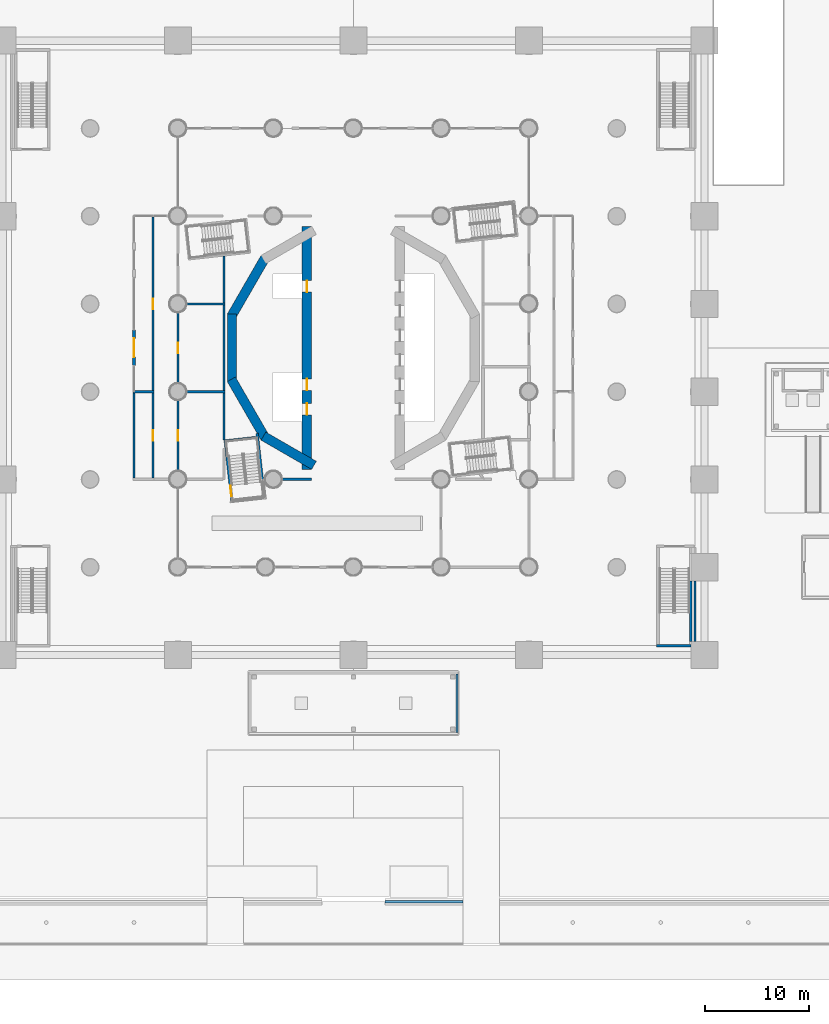
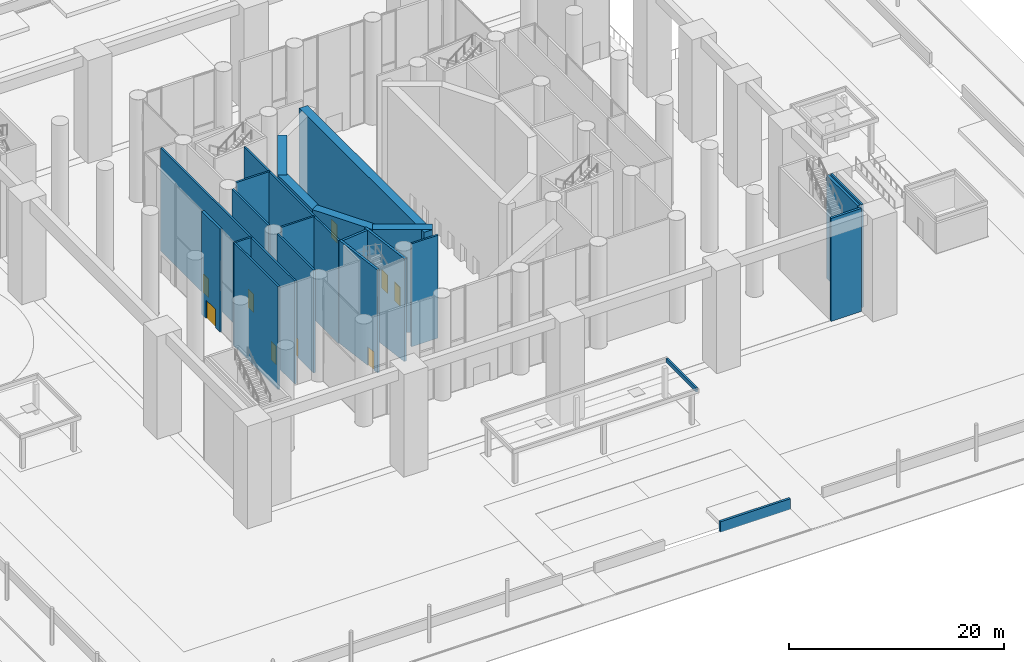
# One storey, part 13 of 52: 26 walls, 9 doors, 9 openings.
"""IFC4 building model written with IfcOpenShell, lengths in metres."""

from ifc_helpers import new_model, si_unit, direction, frame, frame_2d, origin, place, context, subcontext, project, spatial, rectangle, extrude, material, layer, layer_set, type_object, element, fill, save


model = new_model("IFC4")

# Units and contexts
model_context = context("Model", 3, precision=1e-05, world=origin(), true_north=direction((0.0, 1.0)))
body_context = subcontext(model_context, "Body", "Model", "MODEL_VIEW")
ifc_project = project(units=[si_unit("LENGTHUNIT", "METRE"), si_unit("AREAUNIT", "SQUARE_METRE"), si_unit("VOLUMEUNIT", "CUBIC_METRE"), si_unit("PLANEANGLEUNIT", "RADIAN"), si_unit("MASSUNIT", "GRAM", prefix="KILO")], contexts=[model_context])

# Site, building, storey
site_placement = place(None, origin())
site = spatial("IfcSite", under=ifc_project, at=site_placement, CompositionType="ELEMENT")
building_placement = place(site_placement, origin())
building = spatial("IfcBuilding", under=site, at=building_placement, Name="Cantera Rosa Tower", CompositionType="ELEMENT")
storey_placement = place(building_placement, origin())
storey = spatial("IfcBuildingStorey", under=building, at=storey_placement, Name="L00", CompositionType="ELEMENT", Elevation=0.0)

# Walls
ifc_material_1 = material(Name="Masonry blockwork", Category="masonry")
ifc_layer_1 = layer(ifc_material_1, 0.199951171875)
ifc_layer_set_1 = layer_set([ifc_layer_1], Name="Blockwork partition 200")
wall_type_1 = type_object("IfcWallType", Name="Blockwork partition 200", PredefinedType="PARTITIONING", material=ifc_layer_set_1)
wall_1_placement = place(storey_placement, frame((-6.85009765625, -12.57666015625, 0.0), z_axis=(0.0, 0.0, 1.0), x_axis=(1.0, 0.0, 0.0)))
element("IfcWall", 1, at=wall_1_placement, inside=storey, type_object=wall_type_1, Name="Partition L00-4", PredefinedType="PARTITIONING", context=body_context, shape_type="SweptSolid", body=[
    extrude(rectangle(XDim=2.85009765625, YDim=0.199951171875, at=frame_2d((1.425048828125, 0.0))), origin(), (0.0, 0.0, 1.0), 11.699951171875),
])
wall_2_placement = place(storey_placement, frame((-12.39990234375, -8.802490234375, 0.0), z_axis=(0.0, 0.0, 1.0), x_axis=(0.0, 1.0, 0.0)))
element("IfcWall", 2, at=wall_2_placement, inside=storey, type_object=wall_type_1, Name="Partition L00-11", PredefinedType="PARTITIONING", context=body_context, shape_type="SweptSolid", body=[
    extrude(rectangle(XDim=4.50244140625, YDim=0.199951171875, at=frame_2d((2.251220703125, 0.0))), origin(), (0.0, 0.0, 1.0), 11.699951171875),
])
wall_3_placement = place(storey_placement, frame((-12.39990234375, -4.10009765625, 0.0), z_axis=(0.0, 0.0, 1.0), x_axis=(0.0, 1.0, 0.0)))
element("IfcWall", 3, at=wall_3_placement, inside=storey, type_object=wall_type_1, Name="Partition L00-12", PredefinedType="PARTITIONING", context=body_context, shape_type="SweptSolid", body=[
    extrude(rectangle(XDim=8.2001953125, YDim=0.199951171875, at=frame_2d((4.10009765625, 0.0))), origin(), (0.0, 0.0, 1.0), 11.699951171875),
])
wall_4_placement = place(storey_placement, frame((-12.39990234375, 4.300048828125, 0.0), z_axis=(0.0, 0.0, 1.0), x_axis=(0.0, 1.0, 0.0)))
element("IfcWall", 4, at=wall_4_placement, inside=storey, type_object=wall_type_1, Name="Partition L00-13", PredefinedType="PARTITIONING", context=body_context, shape_type="SweptSolid", body=[
    extrude(rectangle(XDim=4.481201171875, YDim=0.199951171875, at=frame_2d((2.24072265625, 0.0))), origin(), (0.0, 0.0, 1.0), 11.699951171875),
])

# Wall, opening, door
wall_5_placement = place(storey_placement, frame((-16.800048828125, -11.800048828125, 0.0), z_axis=(0.0, 0.0, 1.0), x_axis=(0.0, 1.0, 0.0)))
wall_5 = element("IfcWall", 5, at=wall_5_placement, inside=storey, type_object=wall_type_1, Name="Partition L00-25", PredefinedType="PARTITIONING", context=body_context, shape_type="SweptSolid", body=[
    extrude(rectangle(XDim=6.800048828125, YDim=0.199951171875, at=frame_2d((3.39990234375, 0.0))), origin(), (0.0, 0.0, 1.0), 11.699951171875),
])
opening_1_placement = place(wall_5_placement, frame((2.89990234375, 0.0, 0.0)))
opening_1 = element("IfcOpeningElement", 6, at=opening_1_placement, cuts=wall_5, Name="Opening L00-006", PredefinedType="OPENING", context=body_context, shape_type="SweptSolid", body=[
    extrude(rectangle(XDim=1.0, YDim=2.10009765625, at=frame_2d((0.5, 1.050048828125))), frame((0.0, 0.10986328125, 0.0), z_axis=(0.0, -1.0, 0.0), x_axis=(1.0, 0.0, 0.0)), (0.0, 0.0, 1.0), 0.219970703125),
])
ifc_material_2 = material(Name="Timber", Category="wood")
door_type_1 = type_object("IfcDoorType", Name="Door 1000x2100", OperationType="NOTDEFINED", PredefinedType="DOOR", material=ifc_material_2)
door_1_placement = place(opening_1_placement, origin())
door_1 = element("IfcDoor", 7, at=door_1_placement, inside=storey, type_object=door_type_1, Name="Door L00-006", OverallHeight=2.10009765625, OverallWidth=1.0, PredefinedType="DOOR", context=body_context, shape_type="SweptSolid", body=[
    extrude(rectangle(XDim=1.0, YDim=2.10009765625, at=frame_2d((0.5, 1.050048828125))), frame((0.0, 0.02490234375, 0.0), z_axis=(0.0, -1.0, 0.0), x_axis=(1.0, 0.0, 0.0)), (0.0, 0.0, 1.0), 0.050048828125),
])
fill(opening_1, door_1)

wall_6_placement = place(storey_placement, frame((-16.800048828125, -3.39990234375, 0.0), z_axis=(0.0, 0.0, 1.0), x_axis=(0.0, 1.0, 0.0)))
wall_6 = element("IfcWall", 8, at=wall_6_placement, inside=storey, type_object=wall_type_1, Name="Partition L00-26", PredefinedType="PARTITIONING", context=body_context, shape_type="SweptSolid", body=[
    extrude(rectangle(XDim=6.7998046875, YDim=0.199951171875, at=frame_2d((3.39990234375, 0.0))), origin(), (0.0, 0.0, 1.0), 11.699951171875),
])
opening_2_placement = place(wall_6_placement, frame((2.89990234375, 0.0, 0.0)))
opening_2 = element("IfcOpeningElement", 9, at=opening_2_placement, cuts=wall_6, Name="Opening L00-007", PredefinedType="OPENING", context=body_context, shape_type="SweptSolid", body=[
    extrude(rectangle(XDim=1.0, YDim=2.10009765625, at=frame_2d((0.5, 1.050048828125))), frame((0.0, 0.10986328125, 0.0), z_axis=(0.0, -1.0, 0.0), x_axis=(1.0, 0.0, 0.0)), (0.0, 0.0, 1.0), 0.219970703125),
])
door_2_placement = place(opening_2_placement, origin())
door_2 = element("IfcDoor", 10, at=door_2_placement, inside=storey, type_object=door_type_1, Name="Door L00-007", OverallHeight=2.10009765625, OverallWidth=1.0, PredefinedType="DOOR", context=body_context, shape_type="SweptSolid", body=[
    extrude(rectangle(XDim=1.0, YDim=2.10009765625, at=frame_2d((0.5, 1.050048828125))), frame((0.0, 0.02490234375, 0.0), z_axis=(0.0, -1.0, 0.0), x_axis=(1.0, 0.0, 0.0)), (0.0, 0.0, 1.0), 0.050048828125),
])
fill(opening_2, door_2)

# Walls
wall_7_placement = place(storey_placement, frame((-16.0, 4.199951171875, 0.0), z_axis=(0.0, 0.0, 1.0), x_axis=(1.0, 0.0, 0.0)))
element("IfcWall", 11, at=wall_7_placement, inside=storey, type_object=wall_type_1, Name="Partition L00-40", PredefinedType="PARTITIONING", context=body_context, shape_type="SweptSolid", body=[
    extrude(rectangle(XDim=3.699951171875, YDim=0.199951171875, at=frame_2d((1.85009765625, 0.0))), origin(), (0.0, 0.0, 1.0), 11.699951171875),
])
wall_8_placement = place(storey_placement, frame((-21.10009765625, -4.199951171875, 0.0), z_axis=(0.0, 0.0, 1.0), x_axis=(1.0, 0.0, 0.0)))
element("IfcWall", 12, at=wall_8_placement, inside=storey, type_object=wall_type_1, Name="Partition L00-43", PredefinedType="PARTITIONING", context=body_context, shape_type="SweptSolid", body=[
    extrude(rectangle(XDim=2.0, YDim=0.199951171875, at=frame_2d((1.0, 0.0))), origin(), (0.0, 0.0, 1.0), 11.699951171875),
])
wall_9_placement = place(storey_placement, frame((-16.0, -4.199951171875, 0.0), z_axis=(0.0, 0.0, 1.0), x_axis=(1.0, 0.0, 0.0)))
element("IfcWall", 13, at=wall_9_placement, inside=storey, type_object=wall_type_1, Name="Partition L00-44", PredefinedType="PARTITIONING", context=body_context, shape_type="SweptSolid", body=[
    extrude(rectangle(XDim=3.699951171875, YDim=0.199951171875, at=frame_2d((1.85009765625, 0.0))), origin(), (0.0, 0.0, 1.0), 11.699951171875),
])

# Wall, opening, door
wall_10_placement = place(storey_placement, frame((-19.199951171875, -12.4765625, 0.0), z_axis=(0.0, 0.0, 1.0), x_axis=(0.0, 1.0, 0.0)))
wall_10 = element("IfcWall", 14, at=wall_10_placement, inside=storey, type_object=wall_type_1, Name="Partition L00-46", PredefinedType="PARTITIONING", context=body_context, shape_type="SweptSolid", body=[
    extrude(rectangle(XDim=8.176513671875, YDim=0.199951171875, at=frame_2d((4.08837890625, 0.0))), origin(), (0.0, 0.0, 1.0), 11.699951171875),
])
opening_3_placement = place(wall_10_placement, frame((3.58837890625, 0.0, 0.0)))
opening_3 = element("IfcOpeningElement", 15, at=opening_3_placement, cuts=wall_10, Name="Opening L00-010", PredefinedType="OPENING", context=body_context, shape_type="SweptSolid", body=[
    extrude(rectangle(XDim=1.0, YDim=2.10009765625, at=frame_2d((0.5, 1.050048828125))), frame((0.0, 0.10986328125, 0.0), z_axis=(0.0, -1.0, 0.0), x_axis=(1.0, 0.0, 0.0)), (0.0, 0.0, 1.0), 0.219970703125),
])
door_3_placement = place(opening_3_placement, origin())
door_3 = element("IfcDoor", 16, at=door_3_placement, inside=storey, type_object=door_type_1, Name="Door L00-010", OverallHeight=2.10009765625, OverallWidth=1.0, PredefinedType="DOOR", context=body_context, shape_type="SweptSolid", body=[
    extrude(rectangle(XDim=1.0, YDim=2.10009765625, at=frame_2d((0.5, 1.050048828125))), frame((0.0, 0.02490234375, 0.0), z_axis=(0.0, -1.0, 0.0), x_axis=(1.0, 0.0, 0.0)), (0.0, 0.0, 1.0), 0.050048828125),
])
fill(opening_3, door_3)

wall_11_placement = place(storey_placement, frame((-19.199951171875, -4.10009765625, 0.0), z_axis=(0.0, 0.0, 1.0), x_axis=(0.0, 1.0, 0.0)))
wall_11 = element("IfcWall", 17, at=wall_11_placement, inside=storey, type_object=wall_type_1, Name="Partition L00-47", PredefinedType="PARTITIONING", context=body_context, shape_type="SweptSolid", body=[
    extrude(rectangle(XDim=16.60009765625, YDim=0.199951171875, at=frame_2d((8.300048828125, 0.0))), origin(), (0.0, 0.0, 1.0), 11.699951171875),
])
opening_4_placement = place(wall_11_placement, frame((7.800048828125, 0.0, 0.0)))
opening_4 = element("IfcOpeningElement", 18, at=opening_4_placement, cuts=wall_11, Name="Opening L00-009", PredefinedType="OPENING", context=body_context, shape_type="SweptSolid", body=[
    extrude(rectangle(XDim=1.0, YDim=2.10009765625, at=frame_2d((0.5, 1.050048828125))), frame((0.0, 0.10986328125, 0.0), z_axis=(0.0, -1.0, 0.0), x_axis=(1.0, 0.0, 0.0)), (0.0, 0.0, 1.0), 0.219970703125),
])
door_4_placement = place(opening_4_placement, origin())
door_4 = element("IfcDoor", 19, at=door_4_placement, inside=storey, type_object=door_type_1, Name="Door L00-009", OverallHeight=2.10009765625, OverallWidth=1.0, PredefinedType="DOOR", context=body_context, shape_type="SweptSolid", body=[
    extrude(rectangle(XDim=1.0, YDim=2.10009765625, at=frame_2d((0.5, 1.050048828125))), frame((0.0, 0.02490234375, 0.0), z_axis=(0.0, -1.0, 0.0), x_axis=(1.0, 0.0, 0.0)), (0.0, 0.0, 1.0), 0.050048828125),
])
fill(opening_4, door_4)

# Walls
wall_12_placement = place(storey_placement, frame((-21.0, -12.4765625, 0.0), z_axis=(0.0, 0.0, 1.0), x_axis=(0.0, 1.0, 0.0)))
element("IfcWall", 20, at=wall_12_placement, inside=storey, type_object=wall_type_1, Name="Partition L00-48", PredefinedType="PARTITIONING", context=body_context, shape_type="SweptSolid", body=[
    extrude(rectangle(XDim=8.176513671875, YDim=0.199951171875, at=frame_2d((4.08837890625, 0.0))), origin(), (0.0, 0.0, 1.0), 11.699951171875),
])
wall_13_placement = place(storey_placement, frame((32.699951171875, -28.10009765625, 0.0), z_axis=(0.0, 0.0, 1.0), x_axis=(0.0, 1.0, 0.0)))
element("IfcWall", 21, at=wall_13_placement, inside=storey, type_object=wall_type_1, Name="Partition L00-59", PredefinedType="PARTITIONING", context=body_context, shape_type="SweptSolid", body=[
    extrude(rectangle(XDim=5.800048828125, YDim=0.199951171875, at=frame_2d((2.89990234375, 0.0))), origin(), (0.0, 0.0, 1.0), 11.699951171875),
])
ifc_material_3 = material(Name="Concrete C70/85", Category="concrete")
ifc_layer_2 = layer(ifc_material_3, 0.89990234375)
ifc_layer_set_2 = layer_set([ifc_layer_2], Name="Drum wall 900")
wall_type_2 = type_object("IfcWallType", Name="Drum wall 900", PredefinedType="SHEAR", material=ifc_layer_set_2)
wall_14_placement = place(storey_placement, frame((-3.77490234375, -11.242919921875, 0.0), z_axis=(0.0, 0.0, 1.0), x_axis=(-0.866026961591, 0.49999730179, 0.0)))
element("IfcWall", 22, at=wall_14_placement, inside=storey, type_object=wall_type_2, Name="Drum wall west 1 L00", PredefinedType="SHEAR", context=body_context, shape_type="SweptSolid", body=[
    extrude(rectangle(XDim=5.58740234375, YDim=0.89990234375, at=frame_2d((2.793701171875, 0.0))), origin(), (0.0, 0.0, 1.0), 11.699951171875),
])
wall_15_placement = place(storey_placement, frame((-8.44921875, -8.61376953125, 0.0), z_axis=(0.0, 0.0, 1.0), x_axis=(-0.499990282633, 0.866031014036, 0.0)))
element("IfcWall", 23, at=wall_15_placement, inside=storey, type_object=wall_type_2, Name="Drum wall west 2 L00", PredefinedType="SHEAR", context=body_context, shape_type="SweptSolid", body=[
    extrude(rectangle(XDim=6.470458984375, YDim=0.89990234375, at=frame_2d((3.2353515625, 0.0))), origin(), (0.0, 0.0, 1.0), 11.699951171875),
])
wall_16_placement = place(storey_placement, frame((-11.6240234375, -3.2353515625, 0.0), z_axis=(0.0, 0.0, 1.0), x_axis=(0.0, 1.0, 0.0)))
element("IfcWall", 24, at=wall_16_placement, inside=storey, type_object=wall_type_2, Name="Drum wall west 3 L00", PredefinedType="SHEAR", context=body_context, shape_type="SweptSolid", body=[
    extrude(rectangle(XDim=6.470703125, YDim=0.89990234375, at=frame_2d((3.2353515625, 0.0))), origin(), (0.0, 0.0, 1.0), 11.699951171875),
])
wall_17_placement = place(storey_placement, frame((-11.684326171875, 3.01025390625, 0.0), z_axis=(0.0, 0.0, 1.0), x_axis=(0.499990282633, 0.866031014036, 0.0)))
element("IfcWall", 25, at=wall_17_placement, inside=storey, type_object=wall_type_2, Name="Drum wall west 4 L00", PredefinedType="SHEAR", context=body_context, shape_type="SweptSolid", body=[
    extrude(rectangle(XDim=6.470458984375, YDim=0.89990234375, at=frame_2d((3.2353515625, 0.0))), origin(), (0.0, 0.0, 1.0), 11.699951171875),
])

# Wall, openings, doors
wall_18_placement = place(storey_placement, frame((-4.449951171875, 11.632568359375, 0.0), z_axis=(0.0, 0.0, 1.0), x_axis=(0.0, -1.0, 0.0)))
wall_18 = element("IfcWall", 26, at=wall_18_placement, inside=storey, type_object=wall_type_2, Name="Drum wall west 6 L00", PredefinedType="SHEAR", context=body_context, shape_type="SweptSolid", body=[
    extrude(rectangle(XDim=23.26513671875, YDim=0.89990234375, at=frame_2d((11.632568359375, 0.0))), origin(), (0.0, 0.0, 1.0), 11.699951171875),
])
opening_5_placement = place(wall_18_placement, frame((14.607421875, 0.0, 0.0)))
opening_5 = element("IfcOpeningElement", 27, at=opening_5_placement, cuts=wall_18, Name="Opening LD-P3-L00", PredefinedType="OPENING", context=body_context, shape_type="SweptSolid", body=[
    extrude(rectangle(XDim=1.10009765625, YDim=2.10009765625, at=frame_2d((0.550048828125, 1.050048828125))), frame((0.0, 0.4599609375, 0.0), z_axis=(0.0, -1.0, 0.0), x_axis=(1.0, 0.0, 0.0)), (0.0, 0.0, 1.0), 0.919921875),
])
opening_6_placement = place(wall_18_placement, frame((16.95751953125, 0.0, 0.0)))
opening_6 = element("IfcOpeningElement", 28, at=opening_6_placement, cuts=wall_18, Name="Opening LD-P4-L00", PredefinedType="OPENING", context=body_context, shape_type="SweptSolid", body=[
    extrude(rectangle(XDim=1.10009765625, YDim=2.10009765625, at=frame_2d((0.550048828125, 1.050048828125))), frame((0.0, 0.4599609375, 0.0), z_axis=(0.0, -1.0, 0.0), x_axis=(1.0, 0.0, 0.0)), (0.0, 0.0, 1.0), 0.919921875),
])
opening_7_placement = place(wall_18_placement, frame((5.20751953125, 0.0, 0.0)))
opening_7 = element("IfcOpeningElement", 29, at=opening_7_placement, cuts=wall_18, Name="Opening LD-P5-L00", PredefinedType="OPENING", context=body_context, shape_type="SweptSolid", body=[
    extrude(rectangle(XDim=1.10009765625, YDim=2.10009765625, at=frame_2d((0.550048828125, 1.050048828125))), frame((0.0, 0.4599609375, 0.0), z_axis=(0.0, -1.0, 0.0), x_axis=(1.0, 0.0, 0.0)), (0.0, 0.0, 1.0), 0.919921875),
])
ifc_material_4 = material(Name="Steel S355J2 (EN 10025-2)", Category="steel")
door_type_2 = type_object("IfcDoorType", Name="LANDING DOOR 1100x2100", OperationType="NOTDEFINED", PredefinedType="DOOR", material=ifc_material_4)
door_5_placement = place(opening_5_placement, origin())
door_5 = element("IfcDoor", 30, at=door_5_placement, inside=storey, type_object=door_type_2, Name="LANDING DOOR P3 L00", OperationType="SLIDING_TO_LEFT", OverallHeight=2.10009765625, OverallWidth=1.10009765625, PredefinedType="DOOR", context=body_context, shape_type="SweptSolid", body=[
    extrude(rectangle(XDim=1.10009765625, YDim=2.10009765625, at=frame_2d((0.550048828125, 1.050048828125))), frame((0.0, 0.02490234375, 0.0), z_axis=(0.0, -1.0, 0.0), x_axis=(1.0, 0.0, 0.0)), (0.0, 0.0, 1.0), 0.050048828125),
])
fill(opening_5, door_5)
door_6_placement = place(opening_6_placement, origin())
door_6 = element("IfcDoor", 31, at=door_6_placement, inside=storey, type_object=door_type_2, Name="LANDING DOOR P4 L00", OperationType="SLIDING_TO_LEFT", OverallHeight=2.10009765625, OverallWidth=1.10009765625, PredefinedType="DOOR", context=body_context, shape_type="SweptSolid", body=[
    extrude(rectangle(XDim=1.10009765625, YDim=2.10009765625, at=frame_2d((0.550048828125, 1.050048828125))), frame((0.0, 0.02490234375, 0.0), z_axis=(0.0, -1.0, 0.0), x_axis=(1.0, 0.0, 0.0)), (0.0, 0.0, 1.0), 0.050048828125),
])
fill(opening_6, door_6)
door_7_placement = place(opening_7_placement, origin())
door_7 = element("IfcDoor", 32, at=door_7_placement, inside=storey, type_object=door_type_2, Name="LANDING DOOR P5 L00", OperationType="SLIDING_TO_LEFT", OverallHeight=2.10009765625, OverallWidth=1.10009765625, PredefinedType="DOOR", context=body_context, shape_type="SweptSolid", body=[
    extrude(rectangle(XDim=1.10009765625, YDim=2.10009765625, at=frame_2d((0.550048828125, 1.050048828125))), frame((0.0, 0.02490234375, 0.0), z_axis=(0.0, -1.0, 0.0), x_axis=(1.0, 0.0, 0.0)), (0.0, 0.0, 1.0), 0.050048828125),
])
fill(opening_7, door_7)

# Wall, opening, door
ifc_material_5 = material(Name="Masonry blockwork", Category="masonry")
ifc_layer_3 = layer(ifc_material_5, 0.25)
ifc_layer_set_3 = layer_set([ifc_layer_3], Name="Entrance wall 250")
wall_type_3 = type_object("IfcWallType", Name="Entrance wall 250", PredefinedType="PARTITIONING", material=ifc_layer_set_3)
wall_19_placement = place(storey_placement, frame((-21.0, 1.7001953125, 0.0), z_axis=(0.0, 0.0, 1.0), x_axis=(0.0, -1.0, 0.0)))
wall_19 = element("IfcWall", 33, at=wall_19_placement, inside=storey, type_object=wall_type_3, Name="Entrance wall L00-7", PredefinedType="PARTITIONING", context=body_context, shape_type="SweptSolid", body=[
    extrude(rectangle(XDim=3.400146484375, YDim=0.25, at=frame_2d((1.7001953125, 0.0))), origin(), (0.0, 0.0, 1.0), 11.699951171875),
])
opening_8_placement = place(wall_19_placement, frame((0.800048828125, 0.0, 0.0)))
opening_8 = element("IfcOpeningElement", 34, at=opening_8_placement, cuts=wall_19, Name="Opening L00-E07", PredefinedType="OPENING", context=body_context, shape_type="SweptSolid", body=[
    extrude(rectangle(XDim=1.800048828125, YDim=2.10009765625, at=frame_2d((0.89990234375, 1.050048828125))), frame((0.0, 0.135009765625, 0.0), z_axis=(0.0, -1.0, 0.0), x_axis=(1.0, 0.0, 0.0)), (0.0, 0.0, 1.0), 0.27001953125),
])
ifc_material_6 = material(Name="Glass", Category="glass")
door_type_3 = type_object("IfcDoorType", Name="Glazed entrance door 1800x2100", OperationType="NOTDEFINED", PredefinedType="DOOR", material=ifc_material_6)
door_8_placement = place(opening_8_placement, origin())
door_8 = element("IfcDoor", 35, at=door_8_placement, inside=storey, type_object=door_type_3, Name="Entrance door L00-E07", OperationType="DOUBLE_DOOR_SINGLE_SWING", OverallHeight=2.10009765625, OverallWidth=1.800048828125, PredefinedType="DOOR", context=body_context, shape_type="SweptSolid", body=[
    extrude(rectangle(XDim=1.800048828125, YDim=2.10009765625, at=frame_2d((0.89990234375, 1.050048828125))), frame((0.0, 0.02490234375, 0.0), z_axis=(0.0, -1.0, 0.0), x_axis=(1.0, 0.0, 0.0)), (0.0, 0.0, 1.0), 0.050048828125),
])
fill(opening_8, door_8)

# Walls
ifc_material_7 = material(Name="Concrete C50/60", Category="concrete")
ifc_layer_4 = layer(ifc_material_7, 0.25)
ifc_layer_set_4 = layer_set([ifc_layer_4], Name="External stair wall 250")
wall_type_4 = type_object("IfcWallType", Name="External stair wall 250", PredefinedType="SOLIDWALL", material=ifc_layer_set_4)
wall_20_placement = place(storey_placement, frame((32.300048828125, -28.5, 0.0), z_axis=(0.0, 0.0, 1.0), x_axis=(-1.0, 0.0, 0.0)))
element("IfcWall", 36, at=wall_20_placement, inside=storey, type_object=wall_type_4, Name="Stair wall L00-72", PredefinedType="SOLIDWALL", context=body_context, shape_type="SweptSolid", body=[
    extrude(rectangle(XDim=3.275146484375, YDim=0.25, at=frame_2d((1.6376953125, 0.0))), origin(), (0.0, 0.0, 1.0), 11.699951171875),
])
ifc_material_8 = material(Name="Concrete C40/50", Category="concrete")
ifc_layer_5 = layer(ifc_material_8, 0.25)
ifc_layer_set_5 = layer_set([ifc_layer_5], Name="Plot boundary wall 250")
wall_type_5 = type_object("IfcWallType", Name="Plot boundary wall 250", PredefinedType="NOTDEFINED", material=ifc_layer_set_5)
wall_21_placement = place(storey_placement, frame((3.0, -53.0, 0.0), z_axis=(0.0, 0.0, 1.0), x_axis=(1.0, 0.0, 0.0)))
element("IfcWall", 37, at=wall_21_placement, inside=storey, type_object=wall_type_5, Name="Plot boundary wall S3", PredefinedType="NOTDEFINED", context=body_context, shape_type="SweptSolid", body=[
    extrude(rectangle(XDim=7.5, YDim=0.25, at=frame_2d((3.75, 0.0))), origin(), (0.0, 0.0, 1.0), 1.199951171875),
])
ifc_material_9 = material(Name="Concrete C50/60", Category="concrete")
ifc_layer_6 = layer(ifc_material_9, 0.25)
ifc_layer_set_6 = layer_set([ifc_layer_6], Name="RC stair wall 250 C50/60")
wall_type_6 = type_object("IfcWallType", Name="RC stair wall 250", PredefinedType="SOLIDWALL", material=ifc_layer_set_6)
wall_22_placement = place(storey_placement, frame((32.300048828125, -28.10009765625, 0.0), z_axis=(0.0, 0.0, 1.0), x_axis=(0.0, 1.0, 0.0)))
element("IfcWall", 38, at=wall_22_placement, inside=storey, type_object=wall_type_6, Name="Stair wall L00-49", PredefinedType="SOLIDWALL", context=body_context, shape_type="SweptSolid", body=[
    extrude(rectangle(XDim=5.800048828125, YDim=0.25, at=frame_2d((2.89990234375, 0.0))), origin(), (0.0, 0.0, 1.0), 11.699951171875),
])

# Wall, opening, door
wall_23_placement = place(storey_placement, frame((-11.609619140625, -14.752685546875, 0.0), z_axis=(0.0, 0.0, 1.0), x_axis=(-0.110310943534, 0.993897125329, 0.0)))
wall_23 = element("IfcWall", 39, at=wall_23_placement, inside=storey, type_object=wall_type_6, Name="Stair wall ST-13 L00-2", PredefinedType="SOLIDWALL", context=body_context, shape_type="SweptSolid", body=[
    extrude(rectangle(XDim=6.0, YDim=0.25, at=frame_2d((3.0, 0.0))), origin(), (0.0, 0.0, 1.0), 11.699951171875),
])
opening_9_placement = place(wall_23_placement, frame((0.550048828125, 0.0, 0.0)))
opening_9 = element("IfcOpeningElement", 40, at=opening_9_placement, cuts=wall_23, Name="Opening L00-ST-13", PredefinedType="OPENING", context=body_context, shape_type="SweptSolid", body=[
    extrude(rectangle(XDim=1.0, YDim=2.10009765625, at=frame_2d((0.5, 1.050048828125))), frame((0.0, 0.135009765625, 0.0), z_axis=(0.0, -1.0, 0.0), x_axis=(1.0, 0.0, 0.0)), (0.0, 0.0, 1.0), 0.27001953125),
])
ifc_material_10 = material(Name="Steel S355J2 (EN 10025-2)", Category="steel")
door_type_4 = type_object("IfcDoorType", Name="Fire door 1000x2100 EI 120", OperationType="NOTDEFINED", PredefinedType="DOOR", material=ifc_material_10)
door_9_placement = place(opening_9_placement, origin())
door_9 = element("IfcDoor", 41, at=door_9_placement, inside=storey, type_object=door_type_4, Name="Door L00-ST-13", OverallHeight=2.10009765625, OverallWidth=1.0, PredefinedType="DOOR", context=body_context, shape_type="SweptSolid", body=[
    extrude(rectangle(XDim=1.0, YDim=2.10009765625, at=frame_2d((0.5, 1.050048828125))), frame((0.0, 0.02490234375, 0.0), z_axis=(0.0, -1.0, 0.0), x_axis=(1.0, 0.0, 0.0)), (0.0, 0.0, 1.0), 0.050048828125),
])
fill(opening_9, door_9)

# Walls
wall_24_placement = place(storey_placement, frame((-12.133544921875, -8.899658203125, 0.0), z_axis=(0.0, 0.0, 1.0), x_axis=(0.993904609394, 0.110243491536, 0.0)))
element("IfcWall", 42, at=wall_24_placement, inside=storey, type_object=wall_type_6, Name="Stair wall ST-13 L00-3", PredefinedType="SOLIDWALL", context=body_context, shape_type="SweptSolid", body=[
    extrude(rectangle(XDim=2.85009765625, YDim=0.25, at=frame_2d((1.425048828125, 0.0))), origin(), (0.0, 0.0, 1.0), 11.699951171875),
])
wall_25_placement = place(storey_placement, frame((-9.22021484375, -8.17822265625, 0.0), z_axis=(0.0, 0.0, 1.0), x_axis=(0.110299055694, -0.993898444668, 0.0)))
element("IfcWall", 43, at=wall_25_placement, inside=storey, type_object=wall_type_6, Name="Stair wall ST-13 L00-4", PredefinedType="SOLIDWALL", context=body_context, shape_type="SweptSolid", body=[
    extrude(rectangle(XDim=6.270751953125, YDim=0.25, at=frame_2d((3.13525390625, 0.0))), origin(), (0.0, 0.0, 1.0), 11.699951171875),
])
ifc_material_11 = material(Name="Concrete C40/50", Category="concrete")
ifc_layer_7 = layer(ifc_material_11, 0.199951171875)
ifc_layer_set_7 = layer_set([ifc_layer_7], Name="Roof parapet 200")
wall_type_7 = type_object("IfcWallType", Name="Roof parapet 200", PredefinedType="PARAPET", material=ifc_layer_set_7)
wall_26_placement = place(storey_placement, frame((9.89990234375, -36.800048828125, 3.64990234375), z_axis=(0.0, 0.0, 1.0), x_axis=(0.0, 1.0, 0.0)))
element("IfcWall", 44, at=wall_26_placement, inside=storey, type_object=wall_type_7, Name="Parapet of the hotel drop-off canopy roof E", PredefinedType="PARAPET", context=body_context, shape_type="SweptSolid", body=[
    extrude(rectangle(XDim=5.60009765625, YDim=0.199951171875, at=frame_2d((2.800048828125, 0.0))), origin(), (0.0, 0.0, 1.0), 0.4501953125),
])

save(model, "model.ifc")
